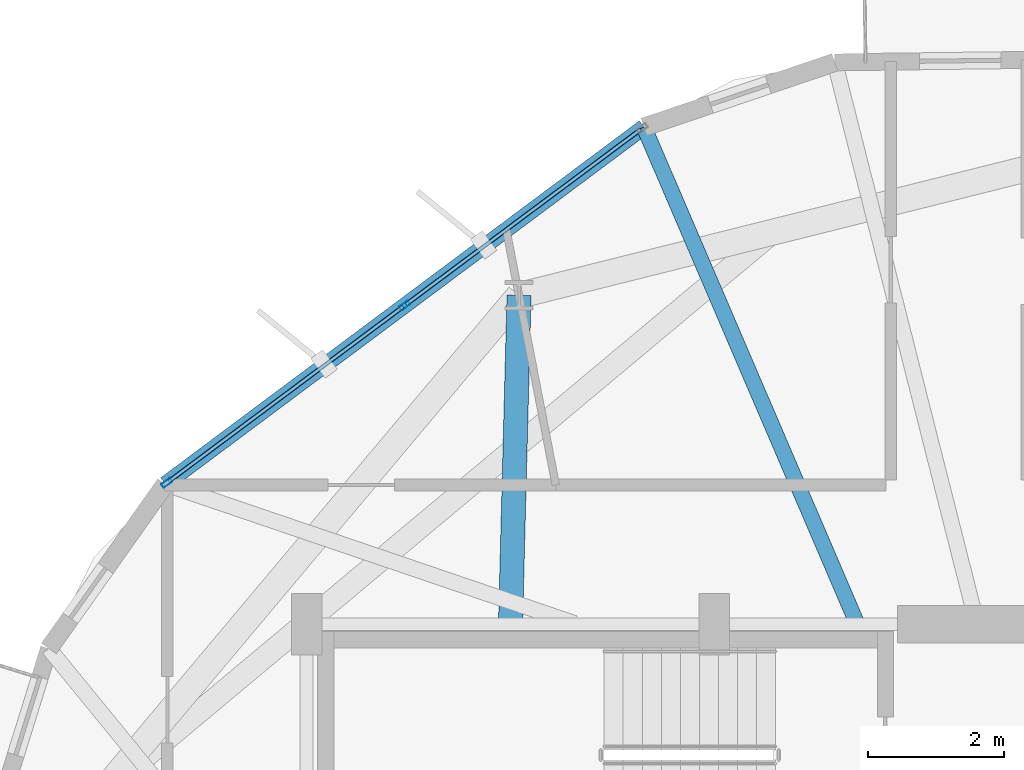
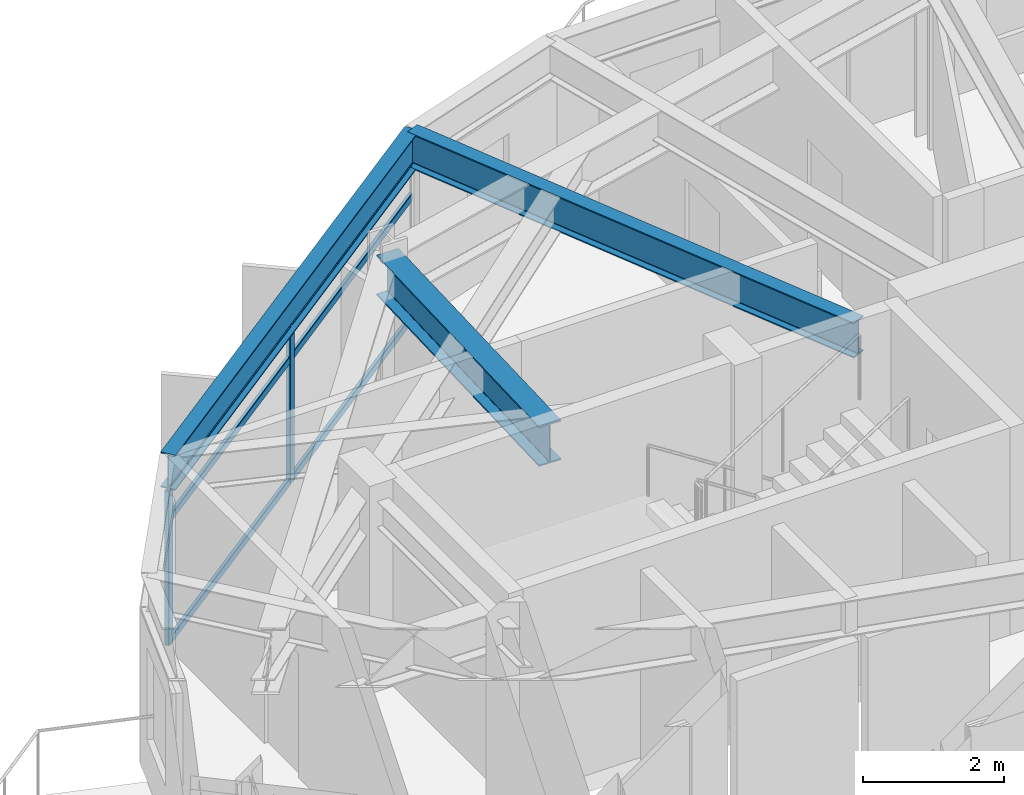
# One storey, part 15 of 27: 8 members, 3 beams, 1 element without a shape of its own.
"""IFC4 building model written with IfcOpenShell, lengths in metres."""

from ifc_helpers import new_model, si_unit, direction, frame, origin, origin_2d, place, context, subcontext, project, spatial, hollow_rectangle, i_section, extrude, material, layer, layer_set, material_profile, profile_set, type_object, element, aggregate, save


model = new_model("IFC4")

# Units and contexts
model_context = context("Model", 3, precision=1e-05, world=origin(), true_north=direction((0.0, 1.0)))
body_context = subcontext(model_context, "Body", "Model", "MODEL_VIEW")
ifc_project = project(units=[si_unit("LENGTHUNIT", "METRE"), si_unit("AREAUNIT", "SQUARE_METRE"), si_unit("VOLUMEUNIT", "CUBIC_METRE"), si_unit("PLANEANGLEUNIT", "RADIAN"), si_unit("MASSUNIT", "GRAM", prefix="KILO")], contexts=[model_context])

# Site, building, storey
site_placement = place(None, origin())
site = spatial("IfcSite", under=ifc_project, at=site_placement, CompositionType="ELEMENT")
building_placement = place(site_placement, origin())
building = spatial("IfcBuilding", under=site, at=building_placement, Name="Soratama Intermodal Tower", CompositionType="ELEMENT")
storey_placement = place(building_placement, frame((0.0, 0.0, 167.800048828125)))
storey = spatial("IfcBuildingStorey", under=building, at=storey_placement, Name="L41", CompositionType="ELEMENT", Elevation=167.800048828125)

# Beams
ifc_material_1 = material(Name="Structural steel ASTM A992 Grade 50", Category="steel")
ifc_material_profile_1 = material_profile(ifc_material_1, i_section(OverallWidth=0.35498046875, OverallDepth=0.695068359375, WebThickness=0.015380859375, FlangeThickness=0.02490234375, FilletRadius=0.01611328125, at=origin_2d()), Name="W27X146")
ifc_profile_set_1 = profile_set([ifc_material_profile_1], Name="Structural steel ASTM A992 Grade 50")
beam_type_1 = type_object("IfcBeamType", Name="BM-RING-W27X146", PredefinedType="BEAM", material=ifc_profile_set_1)
beam_1_placement = place(storey_placement, frame((35.60009765625, 35.0, 2.952392578125), z_axis=(0.026013685955, 0.99966158681, 0.0), x_axis=(-0.99966158681, 0.026013685955, 0.0)))
element("IfcBeam", 1, at=beam_1_placement, inside=storey, type_object=beam_type_1, Name="BM-L41-RAD-04", PredefinedType="BEAM", context=body_context, shape_type="SweptSolid", body=[
    extrude(i_section(OverallWidth=0.35498046875, OverallDepth=0.695068359375, WebThickness=0.015380859375, FlangeThickness=0.02490234375, FilletRadius=0.01611328125, at=origin_2d()), origin(), (0.0, 0.0, 1.0), 4.8427734375),
])
ifc_material_2 = material(Name="Structural steel ASTM A992 Grade 50", Category="steel")
ifc_material_profile_2 = material_profile(ifc_material_2, i_section(OverallWidth=0.22900390625, OverallDepth=0.612060546875, WebThickness=0.011962890625, FlangeThickness=0.01953125, FilletRadius=0.012939453125, at=origin_2d()), Name="W24X84")
ifc_profile_set_2 = profile_set([ifc_material_profile_2], Name="Structural steel ASTM A992 Grade 50")
beam_type_2 = type_object("IfcBeamType", Name="BM-SPN-W24X84", PredefinedType="SPANDREL", material=ifc_profile_set_2)
beam_2_placement = place(storey_placement, frame((37.56494140625, 42.320068359375, 2.993896484375), z_axis=(-0.801623189577, -0.597829626175, 0.0), x_axis=(0.597829626175, -0.801623189577, 0.0)))
element("IfcBeam", 2, at=beam_2_placement, inside=storey, type_object=beam_type_2, Name="BS-L41-F03", PredefinedType="SPANDREL", context=body_context, shape_type="SweptSolid", body=[
    extrude(i_section(OverallWidth=0.22900390625, OverallDepth=0.612060546875, WebThickness=0.011962890625, FlangeThickness=0.01953125, FilletRadius=0.012939453125, at=origin_2d()), origin(), (0.0, 0.0, 1.0), 8.7919921875),
])
ifc_material_3 = material(Name="Structural steel ASTM A992 Grade 50", Category="steel")
ifc_material_profile_3 = material_profile(ifc_material_3, i_section(OverallWidth=0.22900390625, OverallDepth=0.612060546875, WebThickness=0.011962890625, FlangeThickness=0.01953125, FilletRadius=0.012939453125, at=origin_2d()), Name="W24X84")
ifc_profile_set_3 = profile_set([ifc_material_profile_3], Name="Structural steel ASTM A992 Grade 50")
beam_type_3 = type_object("IfcBeamType", Name="BM-TIE-W24X84", PredefinedType="BEAM", material=ifc_profile_set_3)
beam_3_placement = place(storey_placement, frame((40.69091796875, 35.037109375, 2.993896484375), z_axis=(-0.394421141167, 0.918929792422, 0.0), x_axis=(-0.918929792422, -0.394421141167, 0.0)))
element("IfcBeam", 3, at=beam_3_placement, inside=storey, type_object=beam_type_3, Name="BM-L41-TIE0-03", PredefinedType="BEAM", context=body_context, shape_type="SweptSolid", body=[
    extrude(i_section(OverallWidth=0.22900390625, OverallDepth=0.612060546875, WebThickness=0.011962890625, FlangeThickness=0.01953125, FilletRadius=0.012939453125, at=origin_2d()), origin(), (0.0, 0.0, 1.0), 7.925537109375),
])

# Curtain wall, members
ifc_material_4 = material(Name="Double-glazed aluminium curtain wall", Category="aluminium")
ifc_layer = layer(ifc_material_4, 0.159912109375)
ifc_layer_set = layer_set([ifc_layer], Name="Double-glazed aluminium curtain wall")
curtain_wall_type = type_object("IfcCurtainWallType", Name="CW-SYS-4", PredefinedType="NOTDEFINED", material=ifc_layer_set)
curtain_wall_placement = place(storey_placement, origin())
curtain_wall = element("IfcCurtainWall", 4, at=curtain_wall_placement, inside=storey, type_object=curtain_wall_type, Name="L41 Faceted Curtain Wall F03", PredefinedType="NOTDEFINED")
ifc_material_5 = material(Name="Anodised aluminium AA 6063-T6", Category="aluminium")
ifc_material_profile_4 = material_profile(ifc_material_5, hollow_rectangle(XDim=0.070068359375, YDim=0.159912109375, WallThickness=0.0048828125, InnerFilletRadius=0.0048828125, OuterFilletRadius=0.010009765625, at=origin_2d()), Name="CWM160X70X5")
ifc_profile_set_4 = profile_set([ifc_material_profile_4], Name="Anodised aluminium AA 6063-T6")
member_type_1 = type_object("IfcMemberType", Name="MT-CWM-4", PredefinedType="MULLION", material=ifc_profile_set_4)
member_1_placement = place(storey_placement, frame((34.041015625, 39.69189453125, 0.0), z_axis=(0.0, 0.0, 1.0), x_axis=(0.59790688007, -0.801565569848, 0.0)))
member_1 = element("IfcMember", 5, at=member_1_placement, type_object=member_type_1, Name="CW-4 mullion 2", PredefinedType="MULLION", context=body_context, shape_type="SweptSolid", body=[
    extrude(hollow_rectangle(XDim=0.070068359375, YDim=0.159912109375, WallThickness=0.0048828125, InnerFilletRadius=0.0048828125, OuterFilletRadius=0.010009765625, at=origin_2d()), origin(), (0.0, 0.0, 1.0), 2.678955078125),
])
member_2_placement = place(storey_placement, frame((30.54150390625, 37.08154296875, 0.0), z_axis=(0.0, 0.0, 1.0), x_axis=(0.59790688007, -0.801565569848, 0.0)))
member_2 = element("IfcMember", 6, at=member_2_placement, type_object=member_type_1, Name="CW-4 mullion 3", PredefinedType="MULLION", context=body_context, shape_type="SweptSolid", body=[
    extrude(hollow_rectangle(XDim=0.070068359375, YDim=0.159912109375, WallThickness=0.0048828125, InnerFilletRadius=0.0048828125, OuterFilletRadius=0.010009765625, at=origin_2d()), origin(), (0.0, 0.0, 1.0), 2.678955078125),
])
ifc_material_6 = material(Name="Anodised aluminium AA 6063-T6", Category="aluminium")
ifc_material_profile_5 = material_profile(ifc_material_6, hollow_rectangle(XDim=0.06005859375, YDim=0.1298828125, WallThickness=0.0048828125, InnerFilletRadius=0.0048828125, OuterFilletRadius=0.010009765625, at=origin_2d()), Name="CWT130X60X5")
ifc_profile_set_5 = profile_set([ifc_material_profile_5], Name="Anodised aluminium AA 6063-T6")
member_type_2 = type_object("IfcMemberType", Name="TT-CWT-2", PredefinedType="USERDEFINED", material=ifc_profile_set_5)
member_3_placement = place(storey_placement, frame((37.516357421875, 42.284423828125, 0.030029296875), z_axis=(-0.801568981312, -0.597902306567, 0.0), x_axis=(0.597902306567, -0.801568981312, 0.0)))
member_3 = element("IfcMember", 7, at=member_3_placement, type_object=member_type_2, Name="CW-4 transom 1.1", ObjectType="TRANSOM", PredefinedType="USERDEFINED", context=body_context, shape_type="SweptSolid", body=[
    extrude(hollow_rectangle(XDim=0.06005859375, YDim=0.1298828125, WallThickness=0.0048828125, InnerFilletRadius=0.0048828125, OuterFilletRadius=0.010009765625, at=origin_2d()), origin(), (0.0, 0.0, 1.0), 4.305908203125),
])
member_4_placement = place(storey_placement, frame((37.516357421875, 42.284423828125, 2.14990234375), z_axis=(-0.801568981312, -0.597902306567, 0.0), x_axis=(0.597902306567, -0.801568981312, 0.0)))
member_4 = element("IfcMember", 8, at=member_4_placement, type_object=member_type_2, Name="CW-4 transom 1.2", ObjectType="TRANSOM", PredefinedType="USERDEFINED", context=body_context, shape_type="SweptSolid", body=[
    extrude(hollow_rectangle(XDim=0.06005859375, YDim=0.1298828125, WallThickness=0.0048828125, InnerFilletRadius=0.0048828125, OuterFilletRadius=0.010009765625, at=origin_2d()), origin(), (0.0, 0.0, 1.0), 4.305908203125),
])
member_5_placement = place(storey_placement, frame((37.516357421875, 42.284423828125, 2.64892578125), z_axis=(-0.801568981312, -0.597902306567, 0.0), x_axis=(0.597902306567, -0.801568981312, 0.0)))
member_5 = element("IfcMember", 9, at=member_5_placement, type_object=member_type_2, Name="CW-4 transom 1.3", ObjectType="TRANSOM", PredefinedType="USERDEFINED", context=body_context, shape_type="SweptSolid", body=[
    extrude(hollow_rectangle(XDim=0.06005859375, YDim=0.1298828125, WallThickness=0.0048828125, InnerFilletRadius=0.0048828125, OuterFilletRadius=0.010009765625, at=origin_2d()), origin(), (0.0, 0.0, 1.0), 4.305908203125),
])
member_6_placement = place(storey_placement, frame((34.016845703125, 39.674072265625, 0.030029296875), z_axis=(-0.801568981312, -0.597902306567, 0.0), x_axis=(0.597902306567, -0.801568981312, 0.0)))
member_6 = element("IfcMember", 10, at=member_6_placement, type_object=member_type_2, Name="CW-4 transom 2.1", ObjectType="TRANSOM", PredefinedType="USERDEFINED", context=body_context, shape_type="SweptSolid", body=[
    extrude(hollow_rectangle(XDim=0.06005859375, YDim=0.1298828125, WallThickness=0.0048828125, InnerFilletRadius=0.0048828125, OuterFilletRadius=0.010009765625, at=origin_2d()), origin(), (0.0, 0.0, 1.0), 4.305908203125),
])
member_7_placement = place(storey_placement, frame((34.016845703125, 39.674072265625, 2.14990234375), z_axis=(-0.801568981312, -0.597902306567, 0.0), x_axis=(0.597902306567, -0.801568981312, 0.0)))
member_7 = element("IfcMember", 11, at=member_7_placement, type_object=member_type_2, Name="CW-4 transom 2.2", ObjectType="TRANSOM", PredefinedType="USERDEFINED", context=body_context, shape_type="SweptSolid", body=[
    extrude(hollow_rectangle(XDim=0.06005859375, YDim=0.1298828125, WallThickness=0.0048828125, InnerFilletRadius=0.0048828125, OuterFilletRadius=0.010009765625, at=origin_2d()), origin(), (0.0, 0.0, 1.0), 4.305908203125),
])
member_8_placement = place(storey_placement, frame((34.016845703125, 39.674072265625, 2.64892578125), z_axis=(-0.801568981312, -0.597902306567, 0.0), x_axis=(0.597902306567, -0.801568981312, 0.0)))
member_8 = element("IfcMember", 12, at=member_8_placement, type_object=member_type_2, Name="CW-4 transom 2.3", ObjectType="TRANSOM", PredefinedType="USERDEFINED", context=body_context, shape_type="SweptSolid", body=[
    extrude(hollow_rectangle(XDim=0.06005859375, YDim=0.1298828125, WallThickness=0.0048828125, InnerFilletRadius=0.0048828125, OuterFilletRadius=0.010009765625, at=origin_2d()), origin(), (0.0, 0.0, 1.0), 4.305908203125),
])
aggregate(curtain_wall, [member_1, member_2, member_3, member_4, member_5, member_6, member_7, member_8])

save(model, "model.ifc")
